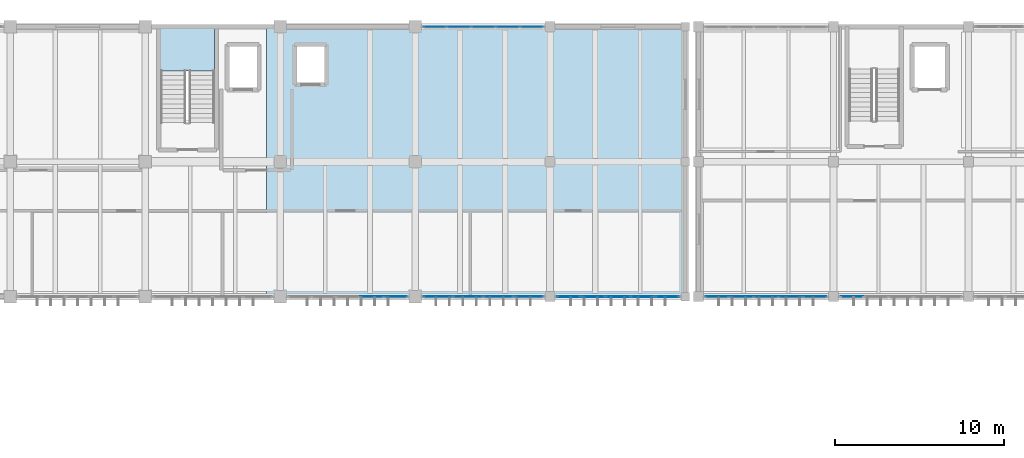
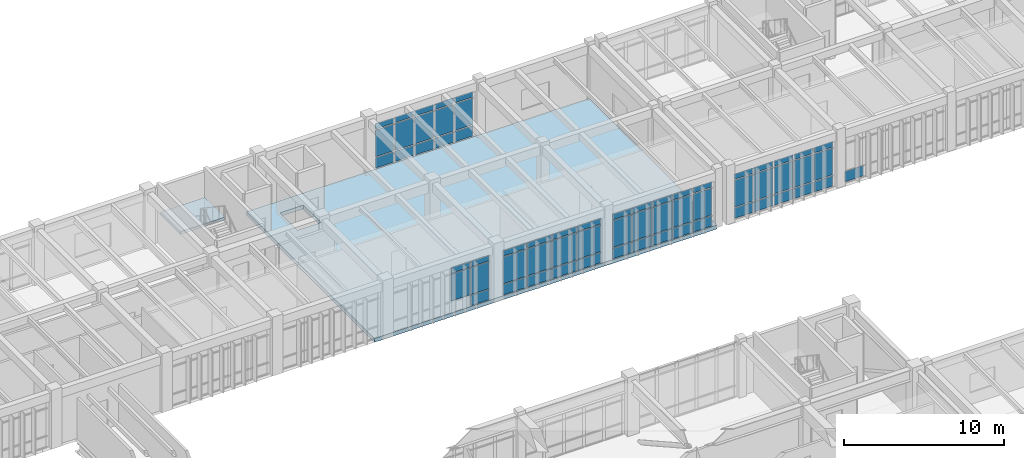
# One storey, part 42 of 79: 63 plates, 2 slabs, 7 elements without a shape of their own.
"""IFC4 building model written with IfcOpenShell, lengths in metres."""

from ifc_helpers import new_model, si_unit, direction, frame, origin, origin_2d, place, context, subcontext, project, spatial, polyline, rectangle, outline, extrude, material, layer, layer_set, type_object, element, aggregate, save


model = new_model("IFC4")

# Units and contexts
model_context = context("Model", 3, precision=1e-05, world=origin(), true_north=direction((0.0, 1.0)))
body_context = subcontext(model_context, "Body", "Model", "MODEL_VIEW")
ifc_project = project(units=[si_unit("LENGTHUNIT", "METRE"), si_unit("AREAUNIT", "SQUARE_METRE"), si_unit("VOLUMEUNIT", "CUBIC_METRE"), si_unit("PLANEANGLEUNIT", "RADIAN"), si_unit("MASSUNIT", "GRAM", prefix="KILO")], contexts=[model_context])

# Site, building, storey
site_placement = place(None, origin())
site = spatial("IfcSite", under=ifc_project, at=site_placement, CompositionType="ELEMENT")
building_placement = place(site_placement, origin())
building = spatial("IfcBuilding", under=site, at=building_placement, Name="Tlaxcora Railside Police Headquarters", CompositionType="ELEMENT")
storey_placement = place(building_placement, frame((0.0, 0.0, 9.0)))
storey = spatial("IfcBuildingStorey", under=building, at=storey_placement, Name="L02", CompositionType="ELEMENT", Elevation=9.0)

# Curtain wall, plates
ifc_material_1 = material(Name="Thermally broken low-E insulated glazing", Category="glass")
curtain_wall_type_1 = type_object("IfcCurtainWallType", Name="Unitised Curtain Wall Assembly CW-23", PredefinedType="NOTDEFINED", material=ifc_material_1)
curtain_wall_1_placement = place(storey_placement, origin())
curtain_wall_1 = element("IfcCurtainWall", 1, at=curtain_wall_1_placement, inside=storey, type_object=curtain_wall_type_1, Name="V5 L02 curtain wall 60", PredefinedType="NOTDEFINED")
ifc_layer_1 = layer(ifc_material_1, 0.0400390625, Name="Thermally broken low-E insulated glazing")
ifc_layer_set_1 = layer_set([ifc_layer_1], Name="Thermally broken low-E insulated glazing")
plate_type_1 = type_object("IfcPlateType", Name="Curtain Wall Infill Panel CW-17", PredefinedType="CURTAIN_PANEL", material=ifc_layer_set_1)
plate_1_placement = place(storey_placement, frame((95.10498046875, 76.800048828125, 0.080078125), z_axis=(0.0, 0.0, 1.0), x_axis=(1.0, 0.0, 0.0)))
plate_1 = element("IfcPlate", 2, at=plate_1_placement, type_object=plate_type_1, Name="CW panel 1.1", PredefinedType="CURTAIN_PANEL", context=body_context, shape_type="SweptSolid", body=[
    extrude(rectangle(XDim=1.35009765625, YDim=0.0400390625, at=origin_2d()), origin(), (0.0, 0.0, 1.0), 0.780029296875),
])
plate_2_placement = place(storey_placement, frame((95.10498046875, 76.800048828125, 0.93994140625), z_axis=(0.0, 0.0, 1.0), x_axis=(1.0, 0.0, 0.0)))
plate_2 = element("IfcPlate", 3, at=plate_2_placement, type_object=plate_type_1, Name="CW panel 1.2", PredefinedType="CURTAIN_PANEL", context=body_context, shape_type="SweptSolid", body=[
    extrude(rectangle(XDim=1.35009765625, YDim=0.0400390625, at=origin_2d()), origin(), (0.0, 0.0, 1.0), 2.0400390625),
])
plate_3_placement = place(storey_placement, frame((95.10498046875, 76.800048828125, 3.06005859375), z_axis=(0.0, 0.0, 1.0), x_axis=(1.0, 0.0, 0.0)))
plate_3 = element("IfcPlate", 4, at=plate_3_placement, type_object=plate_type_1, Name="CW panel 1.3", PredefinedType="CURTAIN_PANEL", context=body_context, shape_type="SweptSolid", body=[
    extrude(rectangle(XDim=1.35009765625, YDim=0.0400390625, at=origin_2d()), origin(), (0.0, 0.0, 1.0), 0.409912109375),
])
plate_4_placement = place(storey_placement, frame((96.554931640625, 76.800048828125, 0.080078125), z_axis=(0.0, 0.0, 1.0), x_axis=(1.0, 0.0, 0.0)))
plate_4 = element("IfcPlate", 5, at=plate_4_placement, type_object=plate_type_1, Name="CW panel 2.1", PredefinedType="CURTAIN_PANEL", context=body_context, shape_type="SweptSolid", body=[
    extrude(rectangle(XDim=1.389892578125, YDim=0.0400390625, at=origin_2d()), origin(), (0.0, 0.0, 1.0), 0.780029296875),
])
plate_5_placement = place(storey_placement, frame((96.554931640625, 76.800048828125, 0.93994140625), z_axis=(0.0, 0.0, 1.0), x_axis=(1.0, 0.0, 0.0)))
plate_5 = element("IfcPlate", 6, at=plate_5_placement, type_object=plate_type_1, Name="CW panel 2.2", PredefinedType="CURTAIN_PANEL", context=body_context, shape_type="SweptSolid", body=[
    extrude(rectangle(XDim=1.389892578125, YDim=0.0400390625, at=origin_2d()), origin(), (0.0, 0.0, 1.0), 2.0400390625),
])
plate_6_placement = place(storey_placement, frame((96.554931640625, 76.800048828125, 3.06005859375), z_axis=(0.0, 0.0, 1.0), x_axis=(1.0, 0.0, 0.0)))
plate_6 = element("IfcPlate", 7, at=plate_6_placement, type_object=plate_type_1, Name="CW panel 2.3", PredefinedType="CURTAIN_PANEL", context=body_context, shape_type="SweptSolid", body=[
    extrude(rectangle(XDim=1.389892578125, YDim=0.0400390625, at=origin_2d()), origin(), (0.0, 0.0, 1.0), 0.409912109375),
])
plate_7_placement = place(storey_placement, frame((98.02490234375, 76.800048828125, 0.080078125), z_axis=(0.0, 0.0, 1.0), x_axis=(1.0, 0.0, 0.0)))
plate_7 = element("IfcPlate", 8, at=plate_7_placement, type_object=plate_type_1, Name="CW panel 3.1", PredefinedType="CURTAIN_PANEL", context=body_context, shape_type="SweptSolid", body=[
    extrude(rectangle(XDim=1.389892578125, YDim=0.0400390625, at=origin_2d()), origin(), (0.0, 0.0, 1.0), 0.780029296875),
])
plate_8_placement = place(storey_placement, frame((98.02490234375, 76.800048828125, 0.93994140625), z_axis=(0.0, 0.0, 1.0), x_axis=(1.0, 0.0, 0.0)))
plate_8 = element("IfcPlate", 9, at=plate_8_placement, type_object=plate_type_1, Name="CW panel 3.2", PredefinedType="CURTAIN_PANEL", context=body_context, shape_type="SweptSolid", body=[
    extrude(rectangle(XDim=1.389892578125, YDim=0.0400390625, at=origin_2d()), origin(), (0.0, 0.0, 1.0), 2.0400390625),
])
plate_9_placement = place(storey_placement, frame((98.02490234375, 76.800048828125, 3.06005859375), z_axis=(0.0, 0.0, 1.0), x_axis=(1.0, 0.0, 0.0)))
plate_9 = element("IfcPlate", 10, at=plate_9_placement, type_object=plate_type_1, Name="CW panel 3.3", PredefinedType="CURTAIN_PANEL", context=body_context, shape_type="SweptSolid", body=[
    extrude(rectangle(XDim=1.389892578125, YDim=0.0400390625, at=origin_2d()), origin(), (0.0, 0.0, 1.0), 0.409912109375),
])
plate_10_placement = place(storey_placement, frame((99.4951171875, 76.800048828125, 0.080078125), z_axis=(0.0, 0.0, 1.0), x_axis=(1.0, 0.0, 0.0)))
plate_10 = element("IfcPlate", 11, at=plate_10_placement, type_object=plate_type_1, Name="CW panel 4.1", PredefinedType="CURTAIN_PANEL", context=body_context, shape_type="SweptSolid", body=[
    extrude(rectangle(XDim=1.389892578125, YDim=0.0400390625, at=origin_2d()), origin(), (0.0, 0.0, 1.0), 0.780029296875),
])
plate_11_placement = place(storey_placement, frame((99.4951171875, 76.800048828125, 0.93994140625), z_axis=(0.0, 0.0, 1.0), x_axis=(1.0, 0.0, 0.0)))
plate_11 = element("IfcPlate", 12, at=plate_11_placement, type_object=plate_type_1, Name="CW panel 4.2", PredefinedType="CURTAIN_PANEL", context=body_context, shape_type="SweptSolid", body=[
    extrude(rectangle(XDim=1.389892578125, YDim=0.0400390625, at=origin_2d()), origin(), (0.0, 0.0, 1.0), 2.0400390625),
])
plate_12_placement = place(storey_placement, frame((99.4951171875, 76.800048828125, 3.06005859375), z_axis=(0.0, 0.0, 1.0), x_axis=(1.0, 0.0, 0.0)))
plate_12 = element("IfcPlate", 13, at=plate_12_placement, type_object=plate_type_1, Name="CW panel 4.3", PredefinedType="CURTAIN_PANEL", context=body_context, shape_type="SweptSolid", body=[
    extrude(rectangle(XDim=1.389892578125, YDim=0.0400390625, at=origin_2d()), origin(), (0.0, 0.0, 1.0), 0.409912109375),
])
plate_13_placement = place(storey_placement, frame((100.945068359375, 76.800048828125, 0.080078125), z_axis=(0.0, 0.0, 1.0), x_axis=(1.0, 0.0, 0.0)))
plate_13 = element("IfcPlate", 14, at=plate_13_placement, type_object=plate_type_1, Name="CW panel 5.1", PredefinedType="CURTAIN_PANEL", context=body_context, shape_type="SweptSolid", body=[
    extrude(rectangle(XDim=1.35009765625, YDim=0.0400390625, at=origin_2d()), origin(), (0.0, 0.0, 1.0), 0.780029296875),
])
plate_14_placement = place(storey_placement, frame((100.945068359375, 76.800048828125, 0.93994140625), z_axis=(0.0, 0.0, 1.0), x_axis=(1.0, 0.0, 0.0)))
plate_14 = element("IfcPlate", 15, at=plate_14_placement, type_object=plate_type_1, Name="CW panel 5.2", PredefinedType="CURTAIN_PANEL", context=body_context, shape_type="SweptSolid", body=[
    extrude(rectangle(XDim=1.35009765625, YDim=0.0400390625, at=origin_2d()), origin(), (0.0, 0.0, 1.0), 2.0400390625),
])
plate_15_placement = place(storey_placement, frame((100.945068359375, 76.800048828125, 3.06005859375), z_axis=(0.0, 0.0, 1.0), x_axis=(1.0, 0.0, 0.0)))
plate_15 = element("IfcPlate", 16, at=plate_15_placement, type_object=plate_type_1, Name="CW panel 5.3", PredefinedType="CURTAIN_PANEL", context=body_context, shape_type="SweptSolid", body=[
    extrude(rectangle(XDim=1.35009765625, YDim=0.0400390625, at=origin_2d()), origin(), (0.0, 0.0, 1.0), 0.409912109375),
])
aggregate(curtain_wall_1, [plate_1, plate_2, plate_3, plate_4, plate_5, plate_6, plate_7, plate_8, plate_9, plate_10, plate_11, plate_12, plate_13, plate_14, plate_15])

curtain_wall_type_2 = type_object("IfcCurtainWallType", Name="Unitised Curtain Wall Assembly CW-15", PredefinedType="NOTDEFINED", material=ifc_material_1)
curtain_wall_2_placement = place(storey_placement, origin())
curtain_wall_2 = element("IfcCurtainWall", 17, at=curtain_wall_2_placement, inside=storey, type_object=curtain_wall_type_2, Name="V5 L02 curtain wall 58", PredefinedType="NOTDEFINED")
ifc_layer_2 = layer(ifc_material_1, 0.031982421875, Name="Thermally broken low-E insulated glazing")
ifc_layer_set_2 = layer_set([ifc_layer_2], Name="Thermally broken low-E insulated glazing")
plate_type_2 = type_object("IfcPlateType", Name="Curtain Wall Infill Panel CW-41", PredefinedType="CURTAIN_PANEL", material=ifc_layer_set_2)
plate_16_placement = place(storey_placement, frame((83.429931640625, 76.800048828125, 0.9375), z_axis=(0.0, 0.0, 1.0), x_axis=(1.0, 0.0, 0.0)))
plate_16 = element("IfcPlate", 18, at=plate_16_placement, type_object=plate_type_2, Name="CW panel 4.2", PredefinedType="CURTAIN_PANEL", context=body_context, shape_type="SweptSolid", body=[
    extrude(rectangle(XDim=1.35498046875, YDim=0.031982421875, at=origin_2d()), origin(), (0.0, 0.0, 1.0), 2.044921875),
])
plate_17_placement = place(storey_placement, frame((83.429931640625, 76.800048828125, 3.0576171875), z_axis=(0.0, 0.0, 1.0), x_axis=(1.0, 0.0, 0.0)))
plate_17 = element("IfcPlate", 19, at=plate_17_placement, type_object=plate_type_2, Name="CW panel 4.3", PredefinedType="CURTAIN_PANEL", context=body_context, shape_type="SweptSolid", body=[
    extrude(rectangle(XDim=1.35498046875, YDim=0.031982421875, at=origin_2d()), origin(), (0.0, 0.0, 1.0), 0.41748046875),
])
plate_18_placement = place(storey_placement, frame((84.84130859375, 76.800048828125, 0.074951171875), z_axis=(0.0, 0.0, 1.0), x_axis=(1.0, 0.0, 0.0)))
plate_18 = element("IfcPlate", 20, at=plate_18_placement, type_object=plate_type_2, Name="CW panel 5.1", PredefinedType="CURTAIN_PANEL", context=body_context, shape_type="SweptSolid", body=[
    extrude(rectangle(XDim=1.3173828125, YDim=0.031982421875, at=origin_2d()), origin(), (0.0, 0.0, 1.0), 0.78759765625),
])
plate_19_placement = place(storey_placement, frame((84.84130859375, 76.800048828125, 0.9375), z_axis=(0.0, 0.0, 1.0), x_axis=(1.0, 0.0, 0.0)))
plate_19 = element("IfcPlate", 21, at=plate_19_placement, type_object=plate_type_2, Name="CW panel 5.2", PredefinedType="CURTAIN_PANEL", context=body_context, shape_type="SweptSolid", body=[
    extrude(rectangle(XDim=1.3173828125, YDim=0.031982421875, at=origin_2d()), origin(), (0.0, 0.0, 1.0), 2.044921875),
])
plate_20_placement = place(storey_placement, frame((84.84130859375, 76.800048828125, 3.0576171875), z_axis=(0.0, 0.0, 1.0), x_axis=(1.0, 0.0, 0.0)))
plate_20 = element("IfcPlate", 22, at=plate_20_placement, type_object=plate_type_2, Name="CW panel 5.3", PredefinedType="CURTAIN_PANEL", context=body_context, shape_type="SweptSolid", body=[
    extrude(rectangle(XDim=1.3173828125, YDim=0.031982421875, at=origin_2d()), origin(), (0.0, 0.0, 1.0), 0.41748046875),
])
aggregate(curtain_wall_2, [plate_16, plate_17, plate_18, plate_19, plate_20])

# Curtain wall, plate
curtain_wall_3_placement = place(storey_placement, origin())
curtain_wall_3 = element("IfcCurtainWall", 23, at=curtain_wall_3_placement, inside=storey, type_object=curtain_wall_type_2, Name="V6 L02 curtain wall 154", PredefinedType="NOTDEFINED")
plate_21_placement = place(storey_placement, frame((111.898681640625, 76.800048828125, 0.074951171875), z_axis=(0.0, 0.0, 1.0), x_axis=(1.0, 0.0, 0.0)))
plate_21 = element("IfcPlate", 24, at=plate_21_placement, type_object=plate_type_2, Name="CW panel 1.1", PredefinedType="CURTAIN_PANEL", context=body_context, shape_type="SweptSolid", body=[
    extrude(rectangle(XDim=1.347412109375, YDim=0.031982421875, at=origin_2d()), origin(), (0.0, 0.0, 1.0), 0.78759765625),
])
aggregate(curtain_wall_3, [plate_21])

# Curtain wall, plates
curtain_wall_type_3 = type_object("IfcCurtainWallType", Name="Unitised Curtain Wall Assembly CW-83", PredefinedType="NOTDEFINED", material=ifc_material_1)
curtain_wall_4_placement = place(storey_placement, origin())
curtain_wall_4 = element("IfcCurtainWall", 25, at=curtain_wall_4_placement, inside=storey, type_object=curtain_wall_type_3, Name="V5 L02 curtain wall 59", PredefinedType="NOTDEFINED")
ifc_layer_3 = layer(ifc_material_1, 0.035888671875, Name="Thermally broken low-E insulated glazing")
ifc_layer_set_3 = layer_set([ifc_layer_3], Name="Thermally broken low-E insulated glazing")
plate_type_3 = type_object("IfcPlateType", Name="Curtain Wall Infill Panel CW-72", PredefinedType="CURTAIN_PANEL", material=ifc_layer_set_3)
plate_22_placement = place(storey_placement, frame((87.34814453125, 76.800048828125, 0.080078125), z_axis=(0.0, 0.0, 1.0), x_axis=(1.0, 0.0, 0.0)))
plate_22 = element("IfcPlate", 26, at=plate_22_placement, type_object=plate_type_3, Name="CW panel 1.1", PredefinedType="CURTAIN_PANEL", context=body_context, shape_type="SweptSolid", body=[
    extrude(rectangle(XDim=1.686279296875, YDim=0.035888671875, at=origin_2d()), origin(), (0.0, 0.0, 1.0), 0.780029296875),
])
plate_23_placement = place(storey_placement, frame((87.34814453125, 76.800048828125, 0.93994140625), z_axis=(0.0, 0.0, 1.0), x_axis=(1.0, 0.0, 0.0)))
plate_23 = element("IfcPlate", 27, at=plate_23_placement, type_object=plate_type_3, Name="CW panel 1.2", PredefinedType="CURTAIN_PANEL", context=body_context, shape_type="SweptSolid", body=[
    extrude(rectangle(XDim=1.686279296875, YDim=0.035888671875, at=origin_2d()), origin(), (0.0, 0.0, 1.0), 2.0400390625),
])
plate_24_placement = place(storey_placement, frame((87.34814453125, 76.800048828125, 3.06005859375), z_axis=(0.0, 0.0, 1.0), x_axis=(1.0, 0.0, 0.0)))
plate_24 = element("IfcPlate", 28, at=plate_24_placement, type_object=plate_type_3, Name="CW panel 1.3", PredefinedType="CURTAIN_PANEL", context=body_context, shape_type="SweptSolid", body=[
    extrude(rectangle(XDim=1.686279296875, YDim=0.035888671875, at=origin_2d()), origin(), (0.0, 0.0, 1.0), 0.409912109375),
])
plate_25_placement = place(storey_placement, frame((89.13427734375, 76.800048828125, 0.080078125), z_axis=(0.0, 0.0, 1.0), x_axis=(1.0, 0.0, 0.0)))
plate_25 = element("IfcPlate", 29, at=plate_25_placement, type_object=plate_type_3, Name="CW panel 2.1", PredefinedType="CURTAIN_PANEL", context=body_context, shape_type="SweptSolid", body=[
    extrude(rectangle(XDim=1.726318359375, YDim=0.035888671875, at=origin_2d()), origin(), (0.0, 0.0, 1.0), 0.780029296875),
])
plate_26_placement = place(storey_placement, frame((89.13427734375, 76.800048828125, 0.93994140625), z_axis=(0.0, 0.0, 1.0), x_axis=(1.0, 0.0, 0.0)))
plate_26 = element("IfcPlate", 30, at=plate_26_placement, type_object=plate_type_3, Name="CW panel 2.2", PredefinedType="CURTAIN_PANEL", context=body_context, shape_type="SweptSolid", body=[
    extrude(rectangle(XDim=1.726318359375, YDim=0.035888671875, at=origin_2d()), origin(), (0.0, 0.0, 1.0), 2.0400390625),
])
plate_27_placement = place(storey_placement, frame((89.13427734375, 76.800048828125, 3.06005859375), z_axis=(0.0, 0.0, 1.0), x_axis=(1.0, 0.0, 0.0)))
plate_27 = element("IfcPlate", 31, at=plate_27_placement, type_object=plate_type_3, Name="CW panel 2.3", PredefinedType="CURTAIN_PANEL", context=body_context, shape_type="SweptSolid", body=[
    extrude(rectangle(XDim=1.726318359375, YDim=0.035888671875, at=origin_2d()), origin(), (0.0, 0.0, 1.0), 0.409912109375),
])
plate_28_placement = place(storey_placement, frame((90.940673828125, 76.800048828125, 0.080078125), z_axis=(0.0, 0.0, 1.0), x_axis=(1.0, 0.0, 0.0)))
plate_28 = element("IfcPlate", 32, at=plate_28_placement, type_object=plate_type_3, Name="CW panel 3.1", PredefinedType="CURTAIN_PANEL", context=body_context, shape_type="SweptSolid", body=[
    extrude(rectangle(XDim=1.726318359375, YDim=0.035888671875, at=origin_2d()), origin(), (0.0, 0.0, 1.0), 0.780029296875),
])
plate_29_placement = place(storey_placement, frame((90.940673828125, 76.800048828125, 0.93994140625), z_axis=(0.0, 0.0, 1.0), x_axis=(1.0, 0.0, 0.0)))
plate_29 = element("IfcPlate", 33, at=plate_29_placement, type_object=plate_type_3, Name="CW panel 3.2", PredefinedType="CURTAIN_PANEL", context=body_context, shape_type="SweptSolid", body=[
    extrude(rectangle(XDim=1.726318359375, YDim=0.035888671875, at=origin_2d()), origin(), (0.0, 0.0, 1.0), 2.0400390625),
])
plate_30_placement = place(storey_placement, frame((90.940673828125, 76.800048828125, 3.06005859375), z_axis=(0.0, 0.0, 1.0), x_axis=(1.0, 0.0, 0.0)))
plate_30 = element("IfcPlate", 34, at=plate_30_placement, type_object=plate_type_3, Name="CW panel 3.3", PredefinedType="CURTAIN_PANEL", context=body_context, shape_type="SweptSolid", body=[
    extrude(rectangle(XDim=1.726318359375, YDim=0.035888671875, at=origin_2d()), origin(), (0.0, 0.0, 1.0), 0.409912109375),
])
plate_31_placement = place(storey_placement, frame((92.726806640625, 76.800048828125, 0.080078125), z_axis=(0.0, 0.0, 1.0), x_axis=(1.0, 0.0, 0.0)))
plate_31 = element("IfcPlate", 35, at=plate_31_placement, type_object=plate_type_3, Name="CW panel 4.1", PredefinedType="CURTAIN_PANEL", context=body_context, shape_type="SweptSolid", body=[
    extrude(rectangle(XDim=1.686279296875, YDim=0.035888671875, at=origin_2d()), origin(), (0.0, 0.0, 1.0), 0.780029296875),
])
plate_32_placement = place(storey_placement, frame((92.726806640625, 76.800048828125, 0.93994140625), z_axis=(0.0, 0.0, 1.0), x_axis=(1.0, 0.0, 0.0)))
plate_32 = element("IfcPlate", 36, at=plate_32_placement, type_object=plate_type_3, Name="CW panel 4.2", PredefinedType="CURTAIN_PANEL", context=body_context, shape_type="SweptSolid", body=[
    extrude(rectangle(XDim=1.686279296875, YDim=0.035888671875, at=origin_2d()), origin(), (0.0, 0.0, 1.0), 2.0400390625),
])
plate_33_placement = place(storey_placement, frame((92.726806640625, 76.800048828125, 3.06005859375), z_axis=(0.0, 0.0, 1.0), x_axis=(1.0, 0.0, 0.0)))
plate_33 = element("IfcPlate", 37, at=plate_33_placement, type_object=plate_type_3, Name="CW panel 4.3", PredefinedType="CURTAIN_PANEL", context=body_context, shape_type="SweptSolid", body=[
    extrude(rectangle(XDim=1.686279296875, YDim=0.035888671875, at=origin_2d()), origin(), (0.0, 0.0, 1.0), 0.409912109375),
])
aggregate(curtain_wall_4, [plate_22, plate_23, plate_24, plate_25, plate_26, plate_27, plate_28, plate_29, plate_30, plate_31, plate_32, plate_33])

curtain_wall_type_4 = type_object("IfcCurtainWallType", Name="Unitised Curtain Wall Assembly CW-38", PredefinedType="NOTDEFINED", material=ifc_material_1)
curtain_wall_5_placement = place(storey_placement, origin())
curtain_wall_5 = element("IfcCurtainWall", 38, at=curtain_wall_5_placement, inside=storey, type_object=curtain_wall_type_4, Name="V5 L02 curtain wall 61", PredefinedType="NOTDEFINED")
ifc_layer_4 = layer(ifc_material_1, 0.028076171875, Name="Thermally broken low-E insulated glazing")
ifc_layer_set_4 = layer_set([ifc_layer_4], Name="Thermally broken low-E insulated glazing")
plate_type_4 = type_object("IfcPlateType", Name="Curtain Wall Infill Panel CW-92", PredefinedType="CURTAIN_PANEL", material=ifc_layer_set_4)
plate_34_placement = place(storey_placement, frame((92.90869140625, 92.800048828125, 0.074951171875), z_axis=(0.0, 0.0, 1.0), x_axis=(-1.0, 0.0, 0.0)))
plate_34 = element("IfcPlate", 39, at=plate_34_placement, type_object=plate_type_4, Name="CW panel 1.1", PredefinedType="CURTAIN_PANEL", context=body_context, shape_type="SweptSolid", body=[
    extrude(rectangle(XDim=1.33251953125, YDim=0.028076171875, at=origin_2d()), origin(), (0.0, 0.0, 1.0), 0.78759765625),
])
plate_35_placement = place(storey_placement, frame((92.90869140625, 92.800048828125, 0.9375), z_axis=(0.0, 0.0, 1.0), x_axis=(-1.0, 0.0, 0.0)))
plate_35 = element("IfcPlate", 40, at=plate_35_placement, type_object=plate_type_4, Name="CW panel 1.2", PredefinedType="CURTAIN_PANEL", context=body_context, shape_type="SweptSolid", body=[
    extrude(rectangle(XDim=1.33251953125, YDim=0.028076171875, at=origin_2d()), origin(), (0.0, 0.0, 1.0), 2.044921875),
])
plate_36_placement = place(storey_placement, frame((92.90869140625, 92.800048828125, 3.0576171875), z_axis=(0.0, 0.0, 1.0), x_axis=(-1.0, 0.0, 0.0)))
plate_36 = element("IfcPlate", 41, at=plate_36_placement, type_object=plate_type_4, Name="CW panel 1.3", PredefinedType="CURTAIN_PANEL", context=body_context, shape_type="SweptSolid", body=[
    extrude(rectangle(XDim=1.33251953125, YDim=0.028076171875, at=origin_2d()), origin(), (0.0, 0.0, 1.0), 0.41748046875),
])
plate_37_placement = place(storey_placement, frame((91.482421875, 92.800048828125, 0.074951171875), z_axis=(0.0, 0.0, 1.0), x_axis=(-1.0, 0.0, 0.0)))
plate_37 = element("IfcPlate", 42, at=plate_37_placement, type_object=plate_type_4, Name="CW panel 2.1", PredefinedType="CURTAIN_PANEL", context=body_context, shape_type="SweptSolid", body=[
    extrude(rectangle(XDim=1.3701171875, YDim=0.028076171875, at=origin_2d()), origin(), (0.0, 0.0, 1.0), 0.78759765625),
])
plate_38_placement = place(storey_placement, frame((91.482421875, 92.800048828125, 0.9375), z_axis=(0.0, 0.0, 1.0), x_axis=(-1.0, 0.0, 0.0)))
plate_38 = element("IfcPlate", 43, at=plate_38_placement, type_object=plate_type_4, Name="CW panel 2.2", PredefinedType="CURTAIN_PANEL", context=body_context, shape_type="SweptSolid", body=[
    extrude(rectangle(XDim=1.3701171875, YDim=0.028076171875, at=origin_2d()), origin(), (0.0, 0.0, 1.0), 2.044921875),
])
plate_39_placement = place(storey_placement, frame((91.482421875, 92.800048828125, 3.0576171875), z_axis=(0.0, 0.0, 1.0), x_axis=(-1.0, 0.0, 0.0)))
plate_39 = element("IfcPlate", 44, at=plate_39_placement, type_object=plate_type_4, Name="CW panel 2.3", PredefinedType="CURTAIN_PANEL", context=body_context, shape_type="SweptSolid", body=[
    extrude(rectangle(XDim=1.3701171875, YDim=0.028076171875, at=origin_2d()), origin(), (0.0, 0.0, 1.0), 0.41748046875),
])
plate_40_placement = place(storey_placement, frame((90.03759765625, 92.800048828125, 0.074951171875), z_axis=(0.0, 0.0, 1.0), x_axis=(-1.0, 0.0, 0.0)))
plate_40 = element("IfcPlate", 45, at=plate_40_placement, type_object=plate_type_4, Name="CW panel 3.1", PredefinedType="CURTAIN_PANEL", context=body_context, shape_type="SweptSolid", body=[
    extrude(rectangle(XDim=1.3701171875, YDim=0.028076171875, at=origin_2d()), origin(), (0.0, 0.0, 1.0), 0.78759765625),
])
plate_41_placement = place(storey_placement, frame((90.03759765625, 92.800048828125, 0.9375), z_axis=(0.0, 0.0, 1.0), x_axis=(-1.0, 0.0, 0.0)))
plate_41 = element("IfcPlate", 46, at=plate_41_placement, type_object=plate_type_4, Name="CW panel 3.2", PredefinedType="CURTAIN_PANEL", context=body_context, shape_type="SweptSolid", body=[
    extrude(rectangle(XDim=1.3701171875, YDim=0.028076171875, at=origin_2d()), origin(), (0.0, 0.0, 1.0), 2.044921875),
])
plate_42_placement = place(storey_placement, frame((90.03759765625, 92.800048828125, 3.0576171875), z_axis=(0.0, 0.0, 1.0), x_axis=(-1.0, 0.0, 0.0)))
plate_42 = element("IfcPlate", 47, at=plate_42_placement, type_object=plate_type_4, Name="CW panel 3.3", PredefinedType="CURTAIN_PANEL", context=body_context, shape_type="SweptSolid", body=[
    extrude(rectangle(XDim=1.3701171875, YDim=0.028076171875, at=origin_2d()), origin(), (0.0, 0.0, 1.0), 0.41748046875),
])
plate_43_placement = place(storey_placement, frame((88.592529296875, 92.800048828125, 0.074951171875), z_axis=(0.0, 0.0, 1.0), x_axis=(-1.0, 0.0, 0.0)))
plate_43 = element("IfcPlate", 48, at=plate_43_placement, type_object=plate_type_4, Name="CW panel 4.1", PredefinedType="CURTAIN_PANEL", context=body_context, shape_type="SweptSolid", body=[
    extrude(rectangle(XDim=1.3701171875, YDim=0.028076171875, at=origin_2d()), origin(), (0.0, 0.0, 1.0), 0.78759765625),
])
plate_44_placement = place(storey_placement, frame((88.592529296875, 92.800048828125, 0.9375), z_axis=(0.0, 0.0, 1.0), x_axis=(-1.0, 0.0, 0.0)))
plate_44 = element("IfcPlate", 49, at=plate_44_placement, type_object=plate_type_4, Name="CW panel 4.2", PredefinedType="CURTAIN_PANEL", context=body_context, shape_type="SweptSolid", body=[
    extrude(rectangle(XDim=1.3701171875, YDim=0.028076171875, at=origin_2d()), origin(), (0.0, 0.0, 1.0), 2.044921875),
])
plate_45_placement = place(storey_placement, frame((88.592529296875, 92.800048828125, 3.0576171875), z_axis=(0.0, 0.0, 1.0), x_axis=(-1.0, 0.0, 0.0)))
plate_45 = element("IfcPlate", 50, at=plate_45_placement, type_object=plate_type_4, Name="CW panel 4.3", PredefinedType="CURTAIN_PANEL", context=body_context, shape_type="SweptSolid", body=[
    extrude(rectangle(XDim=1.3701171875, YDim=0.028076171875, at=origin_2d()), origin(), (0.0, 0.0, 1.0), 0.41748046875),
])
plate_46_placement = place(storey_placement, frame((87.166259765625, 92.800048828125, 0.074951171875), z_axis=(0.0, 0.0, 1.0), x_axis=(-1.0, 0.0, 0.0)))
plate_46 = element("IfcPlate", 51, at=plate_46_placement, type_object=plate_type_4, Name="CW panel 5.1", PredefinedType="CURTAIN_PANEL", context=body_context, shape_type="SweptSolid", body=[
    extrude(rectangle(XDim=1.33251953125, YDim=0.028076171875, at=origin_2d()), origin(), (0.0, 0.0, 1.0), 0.78759765625),
])
plate_47_placement = place(storey_placement, frame((87.166259765625, 92.800048828125, 0.9375), z_axis=(0.0, 0.0, 1.0), x_axis=(-1.0, 0.0, 0.0)))
plate_47 = element("IfcPlate", 52, at=plate_47_placement, type_object=plate_type_4, Name="CW panel 5.2", PredefinedType="CURTAIN_PANEL", context=body_context, shape_type="SweptSolid", body=[
    extrude(rectangle(XDim=1.33251953125, YDim=0.028076171875, at=origin_2d()), origin(), (0.0, 0.0, 1.0), 2.044921875),
])
plate_48_placement = place(storey_placement, frame((87.166259765625, 92.800048828125, 3.0576171875), z_axis=(0.0, 0.0, 1.0), x_axis=(-1.0, 0.0, 0.0)))
plate_48 = element("IfcPlate", 53, at=plate_48_placement, type_object=plate_type_4, Name="CW panel 5.3", PredefinedType="CURTAIN_PANEL", context=body_context, shape_type="SweptSolid", body=[
    extrude(rectangle(XDim=1.33251953125, YDim=0.028076171875, at=origin_2d()), origin(), (0.0, 0.0, 1.0), 0.41748046875),
])
aggregate(curtain_wall_5, [plate_34, plate_35, plate_36, plate_37, plate_38, plate_39, plate_40, plate_41, plate_42, plate_43, plate_44, plate_45, plate_46, plate_47, plate_48])

curtain_wall_6_placement = place(storey_placement, origin())
curtain_wall_6 = element("IfcCurtainWall", 54, at=curtain_wall_6_placement, inside=storey, type_object=curtain_wall_type_4, Name="V6 L02 curtain wall 153", PredefinedType="NOTDEFINED")
plate_49_placement = place(storey_placement, frame((103.898681640625, 76.800048828125, 0.074951171875), z_axis=(0.0, 0.0, 1.0), x_axis=(1.0, 0.0, 0.0)))
plate_49 = element("IfcPlate", 55, at=plate_49_placement, type_object=plate_type_4, Name="CW panel 1.1", PredefinedType="CURTAIN_PANEL", context=body_context, shape_type="SweptSolid", body=[
    extrude(rectangle(XDim=1.347412109375, YDim=0.028076171875, at=origin_2d()), origin(), (0.0, 0.0, 1.0), 0.78759765625),
])
plate_50_placement = place(storey_placement, frame((103.898681640625, 76.800048828125, 0.9375), z_axis=(0.0, 0.0, 1.0), x_axis=(1.0, 0.0, 0.0)))
plate_50 = element("IfcPlate", 56, at=plate_50_placement, type_object=plate_type_4, Name="CW panel 1.2", PredefinedType="CURTAIN_PANEL", context=body_context, shape_type="SweptSolid", body=[
    extrude(rectangle(XDim=1.347412109375, YDim=0.028076171875, at=origin_2d()), origin(), (0.0, 0.0, 1.0), 2.044921875),
])
plate_51_placement = place(storey_placement, frame((103.898681640625, 76.800048828125, 3.0576171875), z_axis=(0.0, 0.0, 1.0), x_axis=(1.0, 0.0, 0.0)))
plate_51 = element("IfcPlate", 57, at=plate_51_placement, type_object=plate_type_4, Name="CW panel 1.3", PredefinedType="CURTAIN_PANEL", context=body_context, shape_type="SweptSolid", body=[
    extrude(rectangle(XDim=1.347412109375, YDim=0.028076171875, at=origin_2d()), origin(), (0.0, 0.0, 1.0), 0.41748046875),
])
plate_52_placement = place(storey_placement, frame((105.340087890625, 76.800048828125, 0.074951171875), z_axis=(0.0, 0.0, 1.0), x_axis=(1.0, 0.0, 0.0)))
plate_52 = element("IfcPlate", 58, at=plate_52_placement, type_object=plate_type_4, Name="CW panel 2.1", PredefinedType="CURTAIN_PANEL", context=body_context, shape_type="SweptSolid", body=[
    extrude(rectangle(XDim=1.385009765625, YDim=0.028076171875, at=origin_2d()), origin(), (0.0, 0.0, 1.0), 0.78759765625),
])
plate_53_placement = place(storey_placement, frame((105.340087890625, 76.800048828125, 0.9375), z_axis=(0.0, 0.0, 1.0), x_axis=(1.0, 0.0, 0.0)))
plate_53 = element("IfcPlate", 59, at=plate_53_placement, type_object=plate_type_4, Name="CW panel 2.2", PredefinedType="CURTAIN_PANEL", context=body_context, shape_type="SweptSolid", body=[
    extrude(rectangle(XDim=1.385009765625, YDim=0.028076171875, at=origin_2d()), origin(), (0.0, 0.0, 1.0), 2.044921875),
])
plate_54_placement = place(storey_placement, frame((105.340087890625, 76.800048828125, 3.0576171875), z_axis=(0.0, 0.0, 1.0), x_axis=(1.0, 0.0, 0.0)))
plate_54 = element("IfcPlate", 60, at=plate_54_placement, type_object=plate_type_4, Name="CW panel 2.3", PredefinedType="CURTAIN_PANEL", context=body_context, shape_type="SweptSolid", body=[
    extrude(rectangle(XDim=1.385009765625, YDim=0.028076171875, at=origin_2d()), origin(), (0.0, 0.0, 1.0), 0.41748046875),
])
plate_55_placement = place(storey_placement, frame((106.800048828125, 76.800048828125, 0.074951171875), z_axis=(0.0, 0.0, 1.0), x_axis=(1.0, 0.0, 0.0)))
plate_55 = element("IfcPlate", 61, at=plate_55_placement, type_object=plate_type_4, Name="CW panel 3.1", PredefinedType="CURTAIN_PANEL", context=body_context, shape_type="SweptSolid", body=[
    extrude(rectangle(XDim=1.385009765625, YDim=0.028076171875, at=origin_2d()), origin(), (0.0, 0.0, 1.0), 0.78759765625),
])
plate_56_placement = place(storey_placement, frame((106.800048828125, 76.800048828125, 0.9375), z_axis=(0.0, 0.0, 1.0), x_axis=(1.0, 0.0, 0.0)))
plate_56 = element("IfcPlate", 62, at=plate_56_placement, type_object=plate_type_4, Name="CW panel 3.2", PredefinedType="CURTAIN_PANEL", context=body_context, shape_type="SweptSolid", body=[
    extrude(rectangle(XDim=1.385009765625, YDim=0.028076171875, at=origin_2d()), origin(), (0.0, 0.0, 1.0), 2.044921875),
])
plate_57_placement = place(storey_placement, frame((106.800048828125, 76.800048828125, 3.0576171875), z_axis=(0.0, 0.0, 1.0), x_axis=(1.0, 0.0, 0.0)))
plate_57 = element("IfcPlate", 63, at=plate_57_placement, type_object=plate_type_4, Name="CW panel 3.3", PredefinedType="CURTAIN_PANEL", context=body_context, shape_type="SweptSolid", body=[
    extrude(rectangle(XDim=1.385009765625, YDim=0.028076171875, at=origin_2d()), origin(), (0.0, 0.0, 1.0), 0.41748046875),
])
plate_58_placement = place(storey_placement, frame((108.260009765625, 76.800048828125, 0.074951171875), z_axis=(0.0, 0.0, 1.0), x_axis=(1.0, 0.0, 0.0)))
plate_58 = element("IfcPlate", 64, at=plate_58_placement, type_object=plate_type_4, Name="CW panel 4.1", PredefinedType="CURTAIN_PANEL", context=body_context, shape_type="SweptSolid", body=[
    extrude(rectangle(XDim=1.385009765625, YDim=0.028076171875, at=origin_2d()), origin(), (0.0, 0.0, 1.0), 0.78759765625),
])
plate_59_placement = place(storey_placement, frame((108.260009765625, 76.800048828125, 0.9375), z_axis=(0.0, 0.0, 1.0), x_axis=(1.0, 0.0, 0.0)))
plate_59 = element("IfcPlate", 65, at=plate_59_placement, type_object=plate_type_4, Name="CW panel 4.2", PredefinedType="CURTAIN_PANEL", context=body_context, shape_type="SweptSolid", body=[
    extrude(rectangle(XDim=1.385009765625, YDim=0.028076171875, at=origin_2d()), origin(), (0.0, 0.0, 1.0), 2.044921875),
])
plate_60_placement = place(storey_placement, frame((108.260009765625, 76.800048828125, 3.0576171875), z_axis=(0.0, 0.0, 1.0), x_axis=(1.0, 0.0, 0.0)))
plate_60 = element("IfcPlate", 66, at=plate_60_placement, type_object=plate_type_4, Name="CW panel 4.3", PredefinedType="CURTAIN_PANEL", context=body_context, shape_type="SweptSolid", body=[
    extrude(rectangle(XDim=1.385009765625, YDim=0.028076171875, at=origin_2d()), origin(), (0.0, 0.0, 1.0), 0.41748046875),
])
plate_61_placement = place(storey_placement, frame((109.701171875, 76.800048828125, 0.074951171875), z_axis=(0.0, 0.0, 1.0), x_axis=(1.0, 0.0, 0.0)))
plate_61 = element("IfcPlate", 67, at=plate_61_placement, type_object=plate_type_4, Name="CW panel 5.1", PredefinedType="CURTAIN_PANEL", context=body_context, shape_type="SweptSolid", body=[
    extrude(rectangle(XDim=1.347412109375, YDim=0.028076171875, at=origin_2d()), origin(), (0.0, 0.0, 1.0), 0.78759765625),
])
plate_62_placement = place(storey_placement, frame((109.701171875, 76.800048828125, 0.9375), z_axis=(0.0, 0.0, 1.0), x_axis=(1.0, 0.0, 0.0)))
plate_62 = element("IfcPlate", 68, at=plate_62_placement, type_object=plate_type_4, Name="CW panel 5.2", PredefinedType="CURTAIN_PANEL", context=body_context, shape_type="SweptSolid", body=[
    extrude(rectangle(XDim=1.347412109375, YDim=0.028076171875, at=origin_2d()), origin(), (0.0, 0.0, 1.0), 2.044921875),
])
plate_63_placement = place(storey_placement, frame((109.701171875, 76.800048828125, 3.0576171875), z_axis=(0.0, 0.0, 1.0), x_axis=(1.0, 0.0, 0.0)))
plate_63 = element("IfcPlate", 69, at=plate_63_placement, type_object=plate_type_4, Name="CW panel 5.3", PredefinedType="CURTAIN_PANEL", context=body_context, shape_type="SweptSolid", body=[
    extrude(rectangle(XDim=1.347412109375, YDim=0.028076171875, at=origin_2d()), origin(), (0.0, 0.0, 1.0), 0.41748046875),
])
aggregate(curtain_wall_6, [plate_49, plate_50, plate_51, plate_52, plate_53, plate_54, plate_55, plate_56, plate_57, plate_58, plate_59, plate_60, plate_61, plate_62, plate_63])

# Stair, slab
ifc_material_2 = material(Name="Concrete C40/50", Category="concrete")
stair_type = type_object("IfcStairType", Name="Half-Turn Dog-Leg Stair ST-28", PredefinedType="HALF_TURN_STAIR", material=ifc_material_2)
stair_placement = place(storey_placement, origin())
stair = element("IfcStair", 70, at=stair_placement, inside=storey, type_object=stair_type, Name="L02 ST2", PredefinedType="HALF_TURN_STAIR")
ifc_material_3 = material(Name="Concrete C35/45", Category="concrete")
ifc_layer_5 = layer(ifc_material_3, 0.199951171875, Name="Concrete C35/45")
ifc_layer_set_5 = layer_set([ifc_layer_5], Name="Concrete C35/45")
slab_type_1 = type_object("IfcSlabType", Name="Stair Landing Slab SL-23", PredefinedType="LANDING", material=ifc_layer_set_5)
slab_1_placement = place(storey_placement, frame((0.0, 0.0, 2.050048828125)))
slab_1 = element("IfcSlab", 71, at=slab_1_placement, type_object=slab_type_1, Name="ST2 landing 1", PredefinedType="LANDING", context=body_context, shape_type="SweptSolid", body=[
    extrude(outline(polyline([(74.110107421875, 90.18994140625), (74.110107421875, 92.68994140625), (70.909912109375, 92.68994140625), (70.909912109375, 90.18994140625), (74.110107421875, 90.18994140625)])), origin(), (0.0, 0.0, 1.0), 0.199951171875),
])
aggregate(stair, [slab_1])

# Slab
ifc_layer_6 = layer(ifc_material_3, 0.2900390625, Name="Concrete C35/45")
ifc_layer_set_6 = layer_set([ifc_layer_6], Name="Concrete C35/45")
slab_type_2 = type_object("IfcSlabType", Name="Suspended Floor Slab SL-86", PredefinedType="FLOOR", material=ifc_layer_set_6)
slab_2_placement = place(storey_placement, frame((0.0, 0.0, -0.2900390625)))
element("IfcSlab", 72, at=slab_2_placement, inside=storey, type_object=slab_type_2, Name="V5 L02 floor slab zone 4", PredefinedType="FLOOR", context=body_context, shape_type="SweptSolid", body=[
    extrude(outline(polyline([(102.0, 92.800048828125), (77.199951171875, 92.800048828125), (77.199951171875, 76.800048828125), (102.0, 76.800048828125), (102.0, 92.800048828125)]), holes=[polyline([(80.64990234375, 89.449951171875), (78.949951171875, 89.449951171875), (78.949951171875, 91.64990234375), (80.64990234375, 91.64990234375), (80.64990234375, 89.449951171875)])]), origin(), (0.0, 0.0, 1.0), 0.2900390625),
])

save(model, "model.ifc")
